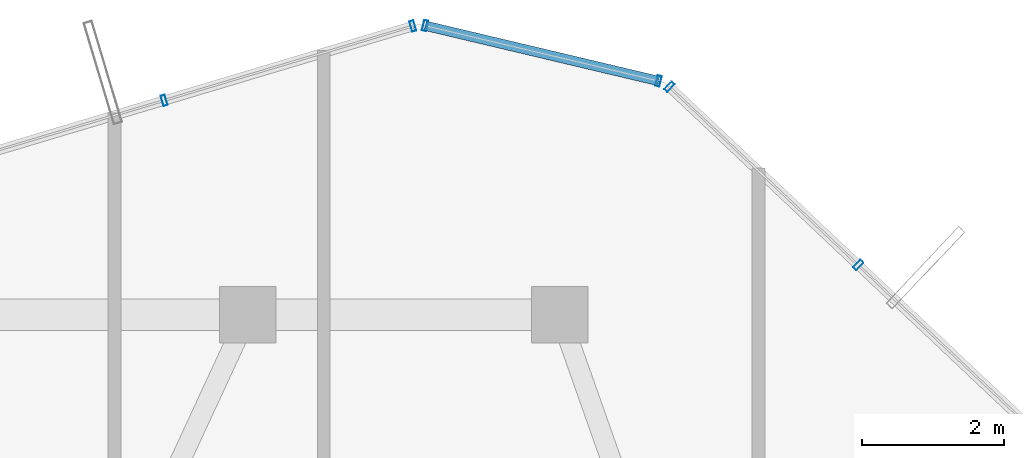
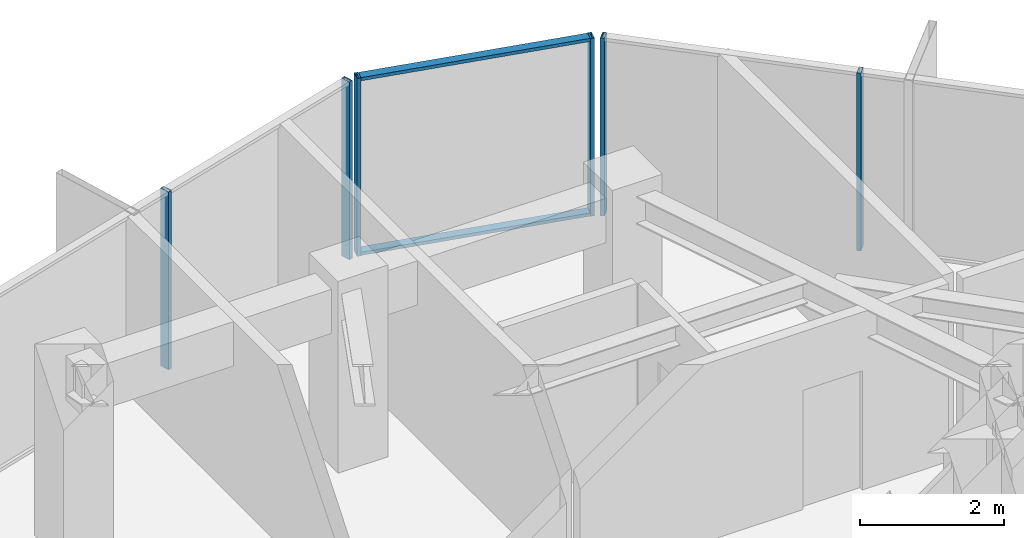
# One storey, part 22 of 28: 8 members, 3 elements without a shape of their own.
"""IFC4 building model written with IfcOpenShell, lengths in metres."""

from ifc_helpers import new_model, si_unit, direction, frame, origin, origin_2d, place, context, subcontext, project, spatial, hollow_rectangle, extrude, source, transform, mapped, material, layer, layer_set, material_profile, profile_set, type_object, element, aggregate, save


model = new_model("IFC4")

# Units and contexts
model_context = context("Model", 3, precision=1e-05, world=origin(), true_north=direction((0.0, 1.0)))
body_context = subcontext(model_context, "Body", "Model", "MODEL_VIEW")
ifc_project = project(units=[si_unit("LENGTHUNIT", "METRE"), si_unit("AREAUNIT", "SQUARE_METRE"), si_unit("VOLUMEUNIT", "CUBIC_METRE"), si_unit("PLANEANGLEUNIT", "RADIAN"), si_unit("MASSUNIT", "GRAM", prefix="KILO")], contexts=[model_context])

# Site, building, storey
site_placement = place(None, origin())
site = spatial("IfcSite", under=ifc_project, at=site_placement, CompositionType="ELEMENT")
building_placement = place(site_placement, origin())
building = spatial("IfcBuilding", under=site, at=building_placement, Name="Veraguas Prism Commons", CompositionType="ELEMENT")
storey_placement = place(building_placement, frame((0.0, 0.0, 254.5)))
storey = spatial("IfcBuildingStorey", under=building, at=storey_placement, Name="L72", CompositionType="ELEMENT", Elevation=254.5)

# Curtain wall, members
ifc_material = material(Name="Anodised aluminium EN AW-6063 T6", Category="aluminium")
ifc_layer = layer(ifc_material, 0.14990234375, Name="Unitised Flush Curtain Wall Zone 4", Category="aluminium")
ifc_layer_set = layer_set([ifc_layer], Name="Anodised aluminium EN AW-6063 T6")
curtain_wall_type = type_object("IfcCurtainWallType", Name="Unitised Flush Curtain Wall Zone 4", PredefinedType="NOTDEFINED", material=ifc_layer_set)
curtain_wall_1_placement = place(storey_placement, origin())
curtain_wall_1 = element("IfcCurtainWall", 1, at=curtain_wall_1_placement, inside=storey, type_object=curtain_wall_type, Name="Tower Facade Curtain Wall L72-F1", PredefinedType="NOTDEFINED")
ifc_material_profile_1 = material_profile(ifc_material, hollow_rectangle(XDim=0.06005859375, YDim=0.14990234375, WallThickness=0.0029296875, at=origin_2d()), Name="AL60X150X3")
ifc_profile_set_1 = profile_set([ifc_material_profile_1], Name="Anodised aluminium EN AW-6063 T6")
member_type_1 = type_object("IfcMemberType", Name="Curtain Wall Mullion Upper AL 60x150x3", PredefinedType="MULLION", material=ifc_profile_set_1)
shared_shape_1 = source(origin(), body_context, "Body", "SweptSolid", [
    extrude(hollow_rectangle(XDim=0.06005859375, YDim=0.14990234375, WallThickness=0.0029296875, at=origin_2d()), origin(), (0.0, 0.0, 1.0), 3.014892578125),
])
member_1_placement = place(storey_placement, frame((32.608154296875, 38.5009765625, 0.0), z_axis=(0.0, 0.0, 1.0), x_axis=(-0.727296184535, 0.686323728251, 0.0)))
member_1 = element("IfcMember", 2, at=member_1_placement, type_object=member_type_1, Name="CW-Z4 Mullion 4", PredefinedType="MULLION", context=body_context, shape_type="MappedRepresentation", body=[
    mapped(shared_shape_1, transform((0.0, 0.0, 0.0), scale=1.0)),
])
member_2_placement = place(storey_placement, frame((29.9453125, 41.013916015625, 0.0), z_axis=(0.0, 0.0, 1.0), x_axis=(-0.727296184535, 0.686323728251, 0.0)))
member_2 = element("IfcMember", 3, at=member_2_placement, type_object=member_type_1, Name="CW-Z4 Mullion 5", PredefinedType="MULLION", context=body_context, shape_type="MappedRepresentation", body=[
    mapped(shared_shape_1, transform((0.0, 0.0, 0.0), scale=1.0)),
])
aggregate(curtain_wall_1, [member_1, member_2])

curtain_wall_2_placement = place(storey_placement, origin())
curtain_wall_2 = element("IfcCurtainWall", 4, at=curtain_wall_2_placement, inside=storey, type_object=curtain_wall_type, Name="Tower Facade Curtain Wall L72-F2", PredefinedType="NOTDEFINED")
member_3_placement = place(storey_placement, frame((26.3271484375, 41.871826171875, 0.0), z_axis=(0.0, 0.0, 1.0), x_axis=(-0.958022876902, -0.286691763629, 0.0)))
member_3 = element("IfcMember", 5, at=member_3_placement, type_object=member_type_1, Name="CW-Z4 Mullion 1", PredefinedType="MULLION", context=body_context, shape_type="MappedRepresentation", body=[
    mapped(shared_shape_1, transform((0.0, 0.0, 0.0), scale=1.0)),
])
member_4_placement = place(storey_placement, frame((22.8193359375, 40.822265625, 0.0), z_axis=(0.0, 0.0, 1.0), x_axis=(-0.958022876902, -0.286691763629, 0.0)))
member_4 = element("IfcMember", 6, at=member_4_placement, type_object=member_type_1, Name="CW-Z4 Mullion 2", PredefinedType="MULLION", context=body_context, shape_type="MappedRepresentation", body=[
    mapped(shared_shape_1, transform((0.0, 0.0, 0.0), scale=1.0)),
])
aggregate(curtain_wall_2, [member_3, member_4])

curtain_wall_3_placement = place(storey_placement, origin())
curtain_wall_3 = element("IfcCurtainWall", 7, at=curtain_wall_3_placement, inside=storey, type_object=curtain_wall_type, Name="Chamfer Curtain Wall L72-C2", PredefinedType="NOTDEFINED")
member_5_placement = place(storey_placement, frame((29.792236328125, 41.096435546875, 0.0), z_axis=(0.0, 0.0, 1.0), x_axis=(-0.973010378817, 0.230761354466, 0.0)))
member_5 = element("IfcMember", 8, at=member_5_placement, type_object=member_type_1, Name="CW-Z4 Mullion 1", PredefinedType="MULLION", context=body_context, shape_type="MappedRepresentation", body=[
    mapped(shared_shape_1, transform((0.0, 0.0, 0.0), scale=1.0)),
])
member_6_placement = place(storey_placement, frame((26.5009765625, 41.876953125, 0.0), z_axis=(0.0, 0.0, 1.0), x_axis=(-0.973010378817, 0.230761354466, 0.0)))
member_6 = element("IfcMember", 9, at=member_6_placement, type_object=member_type_1, Name="CW-Z4 Mullion 2", PredefinedType="MULLION", context=body_context, shape_type="MappedRepresentation", body=[
    mapped(shared_shape_1, transform((0.0, 0.0, 0.0), scale=1.0)),
])
ifc_material_profile_2 = material_profile(ifc_material, hollow_rectangle(XDim=0.054931640625, YDim=0.135009765625, WallThickness=0.0029296875, at=origin_2d()), Name="AL55X135X3")
ifc_profile_set_2 = profile_set([ifc_material_profile_2], Name="Anodised aluminium EN AW-6063 T6")
member_type_2 = type_object("IfcMemberType", Name="Curtain Wall Transom Standard AL 55x135x3", PredefinedType="USERDEFINED", material=ifc_profile_set_2)
shared_shape_2 = source(origin(), body_context, "Body", "SweptSolid", [
    extrude(hollow_rectangle(XDim=0.054931640625, YDim=0.135009765625, WallThickness=0.0029296875, at=origin_2d()), origin(), (0.0, 0.0, 1.0), 3.382568359375),
])
member_7_placement = place(storey_placement, frame((29.792236328125, 41.096435546875, 0.027587890625), z_axis=(-0.973013370718, 0.230748738683, 0.0), x_axis=(0.0, 0.0, 1.0)))
member_7 = element("IfcMember", 10, at=member_7_placement, type_object=member_type_2, Name="CW-Z4 Transom 1", ObjectType="TRANSOM", PredefinedType="USERDEFINED", context=body_context, shape_type="MappedRepresentation", body=[
    mapped(shared_shape_2, transform((0.0, 0.0, 0.0), scale=1.0)),
])
member_8_placement = place(storey_placement, frame((29.792236328125, 41.096435546875, 2.987548828125), z_axis=(-0.973013370718, 0.230748738683, 0.0), x_axis=(0.0, 0.0, 1.0)))
member_8 = element("IfcMember", 11, at=member_8_placement, type_object=member_type_2, Name="CW-Z4 Transom 2", ObjectType="TRANSOM", PredefinedType="USERDEFINED", context=body_context, shape_type="MappedRepresentation", body=[
    mapped(shared_shape_2, transform((0.0, 0.0, 0.0), scale=1.0)),
])
aggregate(curtain_wall_3, [member_5, member_6, member_7, member_8])

save(model, "model.ifc")
